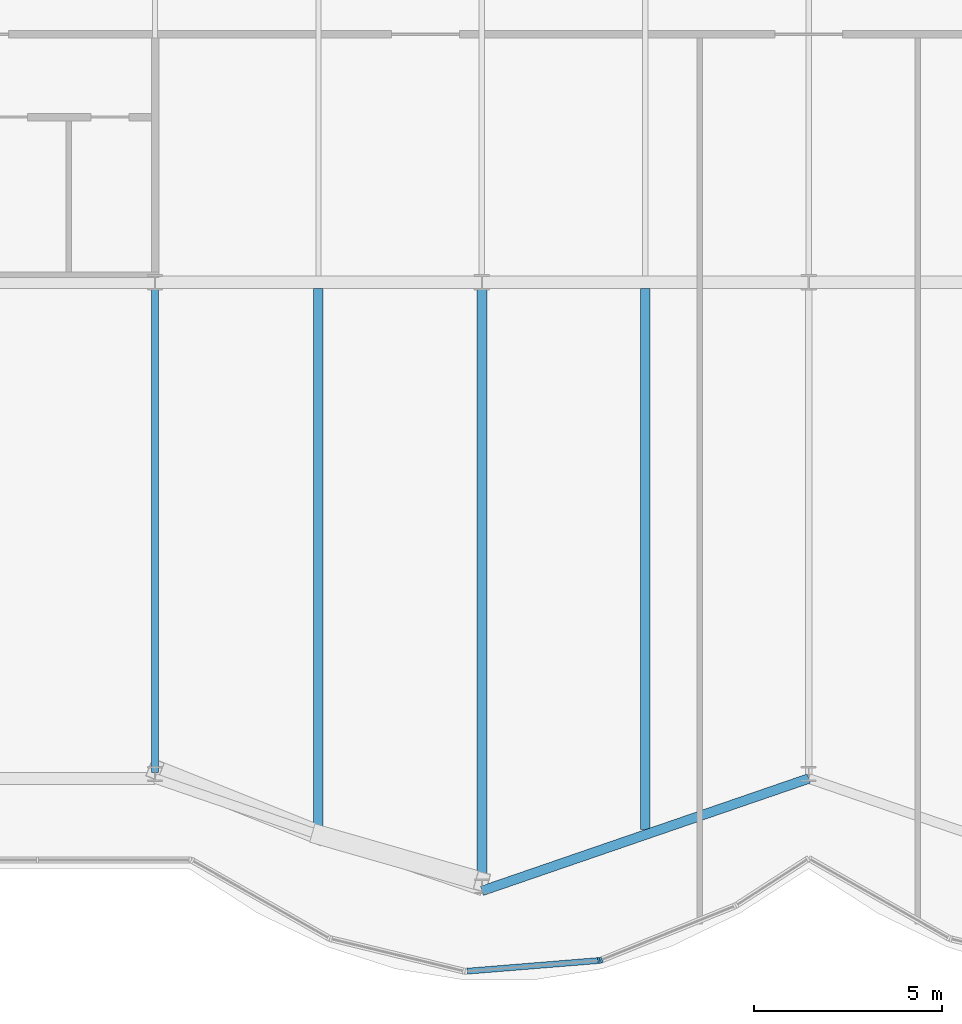
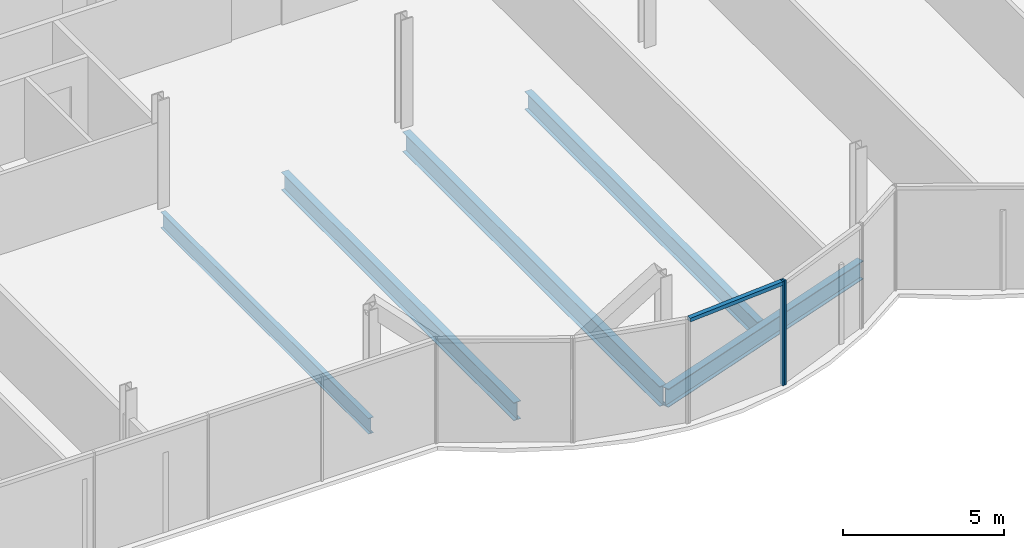
# One storey, part 5 of 21: 5 beams, 3 members, 1 element without a shape of its own.
"""IFC4 building model written with IfcOpenShell, lengths in metres."""

from ifc_helpers import new_model, si_unit, direction, frame, origin, origin_2d, place, context, subcontext, project, spatial, rectangle, i_section, extrude, material, material_profile, profile_set, type_object, element, aggregate, save


model = new_model("IFC4")

# Units and contexts
model_context = context("Model", 3, precision=1e-05, world=origin(), true_north=direction((0.0, 1.0)))
body_context = subcontext(model_context, "Body", "Model", "MODEL_VIEW")
ifc_project = project(units=[si_unit("LENGTHUNIT", "METRE"), si_unit("AREAUNIT", "SQUARE_METRE"), si_unit("VOLUMEUNIT", "CUBIC_METRE"), si_unit("PLANEANGLEUNIT", "RADIAN"), si_unit("MASSUNIT", "GRAM", prefix="KILO")], contexts=[model_context])

# Site, building, storey
site_placement = place(None, origin())
site = spatial("IfcSite", under=ifc_project, at=site_placement, CompositionType="ELEMENT")
building_placement = place(site_placement, origin())
building = spatial("IfcBuilding", under=site, at=building_placement, Name="Bicima Exchange Tower", CompositionType="ELEMENT")
storey_placement = place(building_placement, frame((0.0, 0.0, 114.5)))
storey = spatial("IfcBuildingStorey", under=building, at=storey_placement, Name="L24", CompositionType="ELEMENT", Elevation=114.5)

# Beams
ifc_material_1 = material(Name="Steel ASTM A992 Gr 50", Category="steel")
ifc_material_profile_1 = material_profile(ifc_material_1, i_section(OverallWidth=0.177978515625, OverallDepth=0.599365234375, WebThickness=0.010009765625, FlangeThickness=0.012939453125, at=origin_2d()))
ifc_profile_set_1 = profile_set([ifc_material_profile_1], Name="Steel ASTM A992 Gr 50")
beam_type_1 = type_object("IfcBeamType", Name="Floor beam W24x55", PredefinedType="JOIST", material=ifc_profile_set_1)
beam_1_placement = place(storey_placement, frame((-17.39990234375, -22.16259765625, -0.44970703125), z_axis=(0.0, -1.0, 0.0), x_axis=(1.0, 0.0, 0.0)))
element("IfcBeam", 1, at=beam_1_placement, inside=storey, type_object=beam_type_1, Name="Floor beam", PredefinedType="JOIST", context=body_context, shape_type="SweptSolid", body=[
    extrude(i_section(OverallWidth=0.177978515625, OverallDepth=0.599365234375, WebThickness=0.010009765625, FlangeThickness=0.012939453125, at=origin_2d()), origin(), (0.0, 0.0, 1.0), 12.8828125),
])
ifc_material_profile_2 = material_profile(ifc_material_1, i_section(OverallWidth=0.25390625, OverallDepth=0.67822265625, WebThickness=0.01171875, FlangeThickness=0.016357421875, at=origin_2d()))
ifc_profile_set_2 = profile_set([ifc_material_profile_2], Name="Steel ASTM A992 Gr 50")
beam_type_2 = type_object("IfcBeamType", Name="Floor beam W27x84", PredefinedType="JOIST", material=ifc_profile_set_2)
for number, where, z_axis, x_axis, name in (
    (2, (-13.050048828125, -22.16259765625, -0.489013671875), (0.0, -1.0, 0.0), (1.0, 0.0, 0.0), "Floor beam"),
    (3, (-4.35009765625, -22.16259765625, -0.489013671875), (0.0, -1.0, 0.0), (1.0, 0.0, 0.0), "Floor beam"),
):
    element("IfcBeam", number, at=place(storey_placement, frame(where, z_axis=z_axis, x_axis=x_axis)), inside=storey, type_object=beam_type_2, Name=name, PredefinedType="JOIST", context=body_context, shape_type="SweptSolid", body=[
        extrude(i_section(OverallWidth=0.25390625, OverallDepth=0.67822265625, WebThickness=0.01171875, FlangeThickness=0.016357421875, at=origin_2d()), origin(), (0.0, 0.0, 1.0), 14.4052734375),
    ])
ifc_material_profile_3 = material_profile(ifc_material_1, i_section(OverallWidth=0.2666015625, OverallDepth=0.75439453125, WebThickness=0.01318359375, FlangeThickness=0.01708984375, at=origin_2d()))
ifc_profile_set_3 = profile_set([ifc_material_profile_3], Name="Steel ASTM A992 Gr 50")
beam_type_3 = type_object("IfcBeamType", Name="Floor beam W30x99", PredefinedType="JOIST", material=ifc_profile_set_3)
beam_2_placement = place(storey_placement, frame((-8.699951171875, -22.16259765625, -0.527099609375), z_axis=(0.0, -1.0, 0.0), x_axis=(1.0, 0.0, 0.0)))
element("IfcBeam", 4, at=beam_2_placement, inside=storey, type_object=beam_type_3, Name="Floor beam", PredefinedType="JOIST", context=body_context, shape_type="SweptSolid", body=[
    extrude(i_section(OverallWidth=0.2666015625, OverallDepth=0.75439453125, WebThickness=0.01318359375, FlangeThickness=0.01708984375, at=origin_2d()), origin(), (0.0, 0.0, 1.0), 15.90087890625),
])
ifc_material_profile_4 = material_profile(ifc_material_1, i_section(OverallWidth=0.256591796875, OverallDepth=0.693359375, WebThickness=0.014404296875, FlangeThickness=0.023681640625, at=origin_2d()))
ifc_profile_set_4 = profile_set([ifc_material_profile_4], Name="Steel ASTM A992 Gr 50")
beam_type_4 = type_object("IfcBeamType", Name="Front girder W27x114", PredefinedType="BEAM", material=ifc_profile_set_4)
beam_3_placement = place(storey_placement, frame((-8.699951171875, -38.19921875, -0.49658203125), z_axis=(0.945666456746, 0.325138359143, 0.0), x_axis=(-0.325138359143, 0.945666456746, 0.0)))
element("IfcBeam", 5, at=beam_3_placement, inside=storey, type_object=beam_type_4, Name="Front girder", PredefinedType="BEAM", context=body_context, shape_type="SweptSolid", body=[
    extrude(i_section(OverallWidth=0.256591796875, OverallDepth=0.693359375, WebThickness=0.014404296875, FlangeThickness=0.023681640625, at=origin_2d()), origin(), (0.0, 0.0, 1.0), 9.19970703125),
])

# Curtain wall, members
ifc_material_2 = material(Name="Anodised bronze aluminium", Category="aluminium")
curtain_wall_type = type_object("IfcCurtainWallType", Name="Front glass wall", PredefinedType="NOTDEFINED", material=ifc_material_2)
curtain_wall_placement = place(storey_placement, origin())
curtain_wall = element("IfcCurtainWall", 6, at=curtain_wall_placement, inside=storey, type_object=curtain_wall_type, Name="Front glass wall L24 run 6", PredefinedType="NOTDEFINED")
ifc_material_profile_5 = material_profile(ifc_material_2, rectangle(XDim=0.159912109375, YDim=0.06005859375, at=origin_2d()))
ifc_profile_set_5 = profile_set([ifc_material_profile_5], Name="Anodised bronze aluminium")
member_type_1 = type_object("IfcMemberType", Name="Front glass wall mullion 60 x 160", PredefinedType="MULLION", material=ifc_profile_set_5)
member_1_placement = place(storey_placement, frame((-5.583984375, -40.052734375, 0.0), z_axis=(0.0, 0.0, 1.0), x_axis=(-0.080588612633, 0.99674744821, 0.0)))
member_1 = element("IfcMember", 7, at=member_1_placement, type_object=member_type_1, Name="Front glass wall mullion 2", PredefinedType="MULLION", context=body_context, shape_type="SweptSolid", body=[
    extrude(rectangle(XDim=0.159912109375, YDim=0.06005859375, at=origin_2d()), origin(), (0.0, 0.0, 1.0), 3.949951171875),
])
member_2_placement = place(storey_placement, frame((-5.526123046875, -40.039306640625, 0.0), z_axis=(0.0, 0.0, 1.0), x_axis=(-0.374705304, 0.92714396679, 0.0)))
member_2 = element("IfcMember", 8, at=member_2_placement, type_object=member_type_1, Name="Front glass wall mullion 1", PredefinedType="MULLION", context=body_context, shape_type="SweptSolid", body=[
    extrude(rectangle(XDim=0.159912109375, YDim=0.06005859375, at=origin_2d()), origin(), (0.0, 0.0, 1.0), 3.949951171875),
])
ifc_material_profile_6 = material_profile(ifc_material_2, rectangle(XDim=0.159912109375, YDim=0.139892578125, at=origin_2d()))
ifc_profile_set_6 = profile_set([ifc_material_profile_6], Name="Anodised bronze aluminium")
member_type_2 = type_object("IfcMemberType", Name="Front glass wall transom 140 x 160", PredefinedType="USERDEFINED", material=ifc_profile_set_6)
member_3_placement = place(storey_placement, frame((-9.08837890625, -40.336181640625, 3.8798828125), z_axis=(0.9967456465, 0.080610893699, 0.0), x_axis=(-0.080610893699, 0.9967456465, 0.0)))
member_3 = element("IfcMember", 9, at=member_3_placement, type_object=member_type_2, Name="Front glass wall transom 1.1", ObjectType="TRANSOM", PredefinedType="USERDEFINED", context=body_context, shape_type="SweptSolid", body=[
    extrude(rectangle(XDim=0.159912109375, YDim=0.139892578125, at=origin_2d()), origin(), (0.0, 0.0, 1.0), 3.48583984375),
])
aggregate(curtain_wall, [member_1, member_3, member_2])

save(model, "model.ifc")
